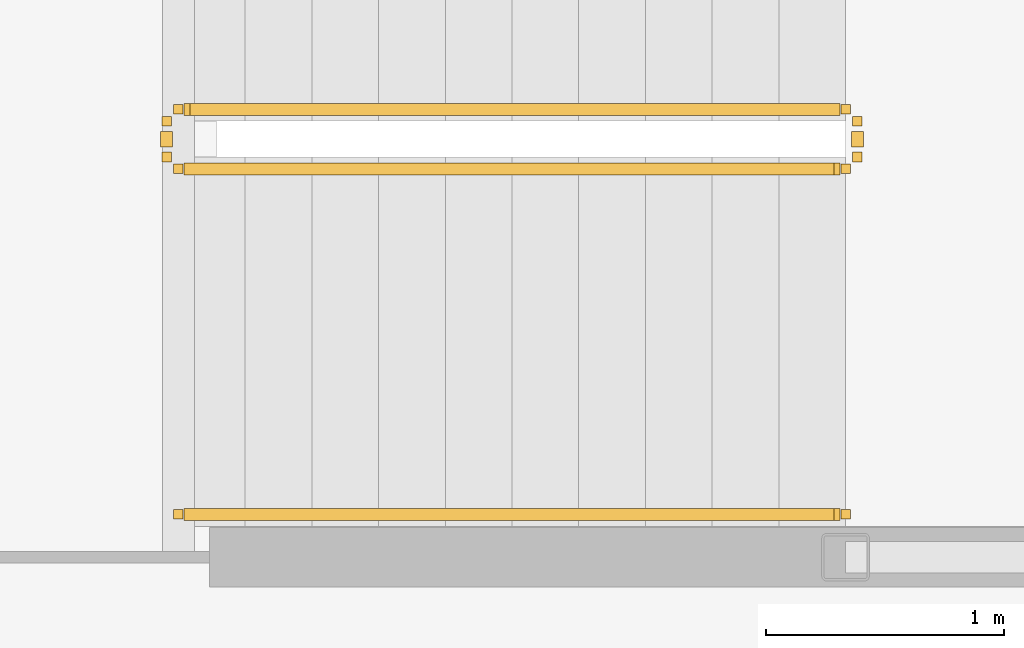
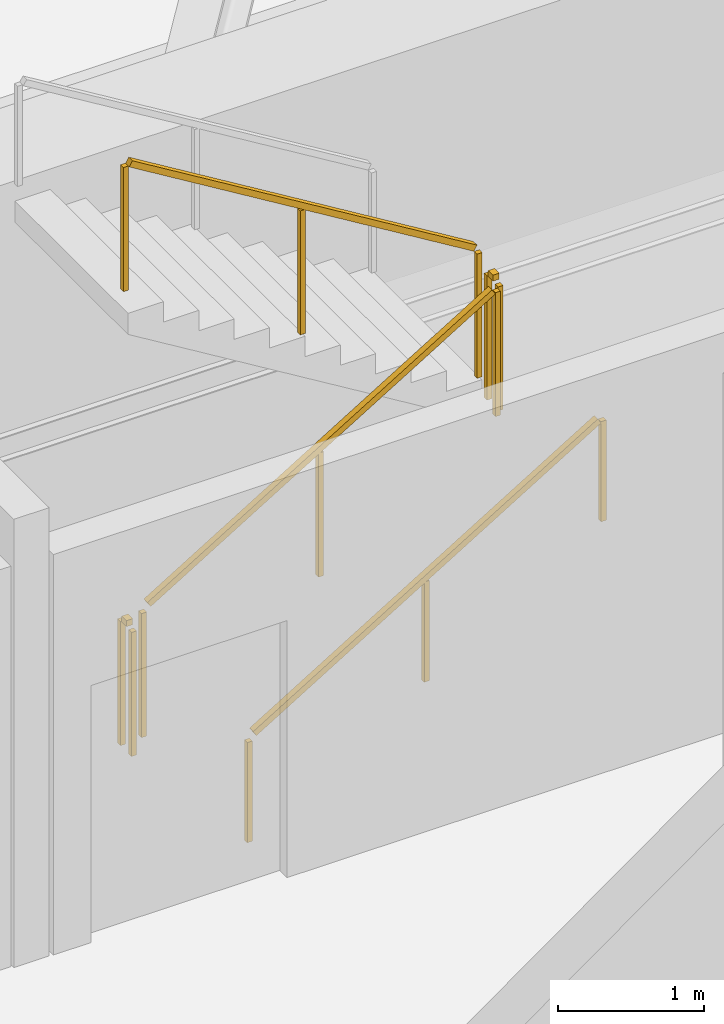
# One storey, part 18 of 19: 5 railings.
"""IFC4 building model written with IfcOpenShell, lengths in metres."""

import ifcopenshell
import ifcopenshell.guid

model = None  # the IFC model being written
_history = None  # IfcOwnerHistory: only IFC2X3 demands one
_inside = {}  # id of a spatial element -> (the spatial element, [elements in it])
_under = {}  # id of a project, library or spatial element -> (it, [spatial elements below it])
_declared = {}  # id of a project -> (the project, [libraries it declares])
_typed = {}  # id of a type object -> (the type object, [elements of that type])
_made_of = {}  # id of a material, layer set ... -> (it, [elements and type objects made of it])


def new_model(schema):
    """Start an empty IFC model of exactly this schema.

    Asked for "IFC4X3", IfcOpenShell would pick the latest addendum, in which some entities
    have other attributes; the version numbers below select the first issue.
    IFC2X3 requires an IfcOwnerHistory on every rooted entity: one is made here for all.
    """
    global model, _history
    if schema == "IFC4X3":
        model = ifcopenshell.file(schema_version=(4, 3, 0, 0))
    else:
        model = ifcopenshell.file(schema=schema)
    _inside.clear()
    _under.clear()
    _declared.clear()
    _typed.clear()
    _made_of.clear()
    _history = None
    if model.schema == "IFC2X3":
        org = make("IfcOrganization", Name="unknown")
        user = make(
            "IfcPersonAndOrganization",
            ThePerson=make("IfcPerson", FamilyName="unknown"),
            TheOrganization=org,
        )
        app = make(
            "IfcApplication",
            ApplicationDeveloper=org,
            Version="unknown",
            ApplicationFullName="unknown",
            ApplicationIdentifier="unknown",
        )
        _history = make(
            "IfcOwnerHistory",
            OwningUser=user,
            OwningApplication=app,
            ChangeAction="ADDED",
            CreationDate=0,
        )
    return model


def make(cls, **values):
    """One entity of the class cls with the attributes given. An attribute that is None is left unset."""
    return model.create_entity(
        cls, **{name: value for name, value in values.items() if value is not None}
    )


def rooted(cls, **values):
    """An entity with a GlobalId (a new one), such as an element, a storey or a relation."""
    return make(cls, GlobalId=ifcopenshell.guid.new(), OwnerHistory=_history, **values)


def si_unit(unit_type, name, prefix=None):
    """IfcSIUnit, for example si_unit("LENGTHUNIT", "METRE", prefix="MILLI")."""
    return make("IfcSIUnit", UnitType=unit_type, Prefix=prefix, Name=name)


def assignment(units):
    """IfcUnitAssignment: the units of a project."""
    return None if units is None else make("IfcUnitAssignment", Units=units)


def point(xyz):
    """IfcCartesianPoint."""
    return None if xyz is None else make("IfcCartesianPoint", Coordinates=xyz)


def direction(xyz):
    """IfcDirection."""
    return None if xyz is None else make("IfcDirection", DirectionRatios=xyz)


def frame(location, z_axis=None, x_axis=None):
    """IfcAxis2Placement3D, a coordinate frame: its origin and axes. An axis left out is left unset."""
    return make(
        "IfcAxis2Placement3D",
        Location=point(location),
        Axis=direction(z_axis),
        RefDirection=direction(x_axis),
    )


def frame_2d(location, x_axis=None):
    """IfcAxis2Placement2D, a coordinate frame in the plane: its origin and x axis."""
    return make(
        "IfcAxis2Placement2D", Location=point(location), RefDirection=direction(x_axis)
    )


def origin():
    """The frame at (0, 0, 0) with its axes left unset."""
    return frame((0.0, 0.0, 0.0))


def origin_2d():
    """The frame at (0, 0) in the plane with its x axis left unset."""
    return frame_2d((0.0, 0.0))


def place(relative_to, where):
    """IfcLocalPlacement: puts the frame where relative to a parent placement (None: the world)."""
    return make(
        "IfcLocalPlacement", PlacementRelTo=relative_to, RelativePlacement=where
    )


def context(
    kind, dimensions, precision=None, world=None, true_north=None, identifier=None
):
    """IfcGeometricRepresentationContext, for example the 3D "Model" context."""
    return make(
        "IfcGeometricRepresentationContext",
        ContextIdentifier=identifier,
        ContextType=kind,
        CoordinateSpaceDimension=dimensions,
        Precision=precision,
        WorldCoordinateSystem=world,
        TrueNorth=true_north,
    )


def subcontext(parent, identifier, kind, view, scale=None):
    """IfcGeometricRepresentationSubContext, for example "Body" below "Model"."""
    return make(
        "IfcGeometricRepresentationSubContext",
        ContextIdentifier=identifier,
        ContextType=kind,
        ParentContext=parent,
        TargetScale=scale,
        TargetView=view,
    )


def project(units=None, contexts=None):
    """IfcProject with its units and contexts."""
    return rooted(
        "IfcProject",
        Name="project",
        RepresentationContexts=contexts,
        UnitsInContext=assignment(units),
    )


def spatial(cls, under=None, at=None, **own):
    """A site, building, storey or space (cls), placed at a placement, below another one or the project."""
    s = rooted(cls, ObjectPlacement=at, **own)
    if under is not None:
        _under.setdefault(under.id(), (under, []))[1].append(s)
    return s


def profile(cls, at=None, kind="AREA", **sizes):
    """A parametric profile (cls). Its sizes go by their IFC names, for example OverallWidth=200.0."""
    return make(cls, ProfileType=kind, Position=at, **sizes)


def rectangle(**sizes):
    """IfcRectangleProfileDef."""
    return profile("IfcRectangleProfileDef", **sizes)


def extrude(swept, where, along, depth):
    """IfcExtrudedAreaSolid: the profile swept, set in the frame where, extruded along a direction by depth."""
    return make(
        "IfcExtrudedAreaSolid",
        SweptArea=swept,
        Position=where,
        ExtrudedDirection=direction(along),
        Depth=depth,
    )


def shape(context_of_items, identifier, shape_type, items):
    """IfcShapeRepresentation: the items that make up one representation, for example the "Body"."""
    return make(
        "IfcShapeRepresentation",
        ContextOfItems=context_of_items,
        RepresentationIdentifier=identifier,
        RepresentationType=shape_type,
        Items=items,
    )


def material(Name=None, Category=None):
    """IfcMaterial."""
    return make("IfcMaterial", Name=Name, Category=Category)


def made_of(thing, what):
    """Note that an element or type object is made of a material, layer set ...; save() writes the relation."""
    if what is not None:
        _made_of.setdefault(what.id(), (what, []))[1].append(thing)
    return thing


def type_object(cls, material=None, **own):
    """A type object (cls), such as IfcWallType, which elements share."""
    return made_of(rooted(cls, **own), material)


def element(
    cls,
    number,
    at=None,
    inside=None,
    cuts=None,
    type_object=None,
    material=None,
    context=None,
    identifier="Body",
    shape_type=None,
    held_by="IfcProductDefinitionShape",
    body=None,
    shapes=None,
    **own,
):
    """One element of the class cls, such as IfcWall. Its Tag is "e" and its number.

    at: its placement. inside: the storey or other place that contains it. cuts: it is an
    opening in that element (IfcRelVoidsElement). A single representation is given by context,
    identifier, shape_type and body (its items); several are given by shapes. held_by: the class
    of the entity that holds the representations. save() writes the other relations.
    """
    e = rooted(cls, Tag="e%d" % number, ObjectPlacement=at, **own)
    if body is not None:
        shapes = [shape(context, identifier, shape_type, body)]
    if shapes is not None:
        e.Representation = make(held_by, Representations=shapes)
    if inside is not None:
        _inside.setdefault(inside.id(), (inside, []))[1].append(e)
    if cuts is not None:
        rooted(
            "IfcRelVoidsElement", RelatingBuildingElement=cuts, RelatedOpeningElement=e
        )
    if type_object is not None:
        _typed.setdefault(type_object.id(), (type_object, []))[1].append(e)
    return made_of(e, material)


def aggregate(whole, parts):
    """IfcRelAggregates: a whole, such as a stair, and the parts it consists of."""
    return rooted("IfcRelAggregates", RelatingObject=whole, RelatedObjects=parts)


def save(model, path):
    """Write the relations noted so far, then the file.

    IfcRelAggregates (storeys below a building ...), IfcRelContainedInSpatialStructure (elements
    in a storey), IfcRelDefinesByType, IfcRelAssociatesMaterial and IfcRelDeclares: one each for
    every whole, place, type object, material and project.
    """
    for whole, parts in _under.values():
        aggregate(whole, parts)
    for where, things in _inside.values():
        rooted(
            "IfcRelContainedInSpatialStructure",
            RelatedElements=things,
            RelatingStructure=where,
        )
    for kind, things in _typed.values():
        rooted("IfcRelDefinesByType", RelatedObjects=things, RelatingType=kind)
    for what, things in _made_of.values():
        rooted("IfcRelAssociatesMaterial", RelatedObjects=things, RelatingMaterial=what)
    for by, libraries in _declared.values():
        rooted("IfcRelDeclares", RelatingContext=by, RelatedDefinitions=libraries)
    model.write(path)


model = new_model("IFC4")

# Units and contexts
model_context = context("Model", 3, precision=1e-05, world=origin(), true_north=direction((0.0, 1.0)))
body_context = subcontext(model_context, "Body", "Model", "MODEL_VIEW")
ifc_project = project(units=[si_unit("LENGTHUNIT", "METRE"), si_unit("AREAUNIT", "SQUARE_METRE"), si_unit("VOLUMEUNIT", "CUBIC_METRE"), si_unit("PLANEANGLEUNIT", "RADIAN"), si_unit("MASSUNIT", "GRAM", prefix="KILO")], contexts=[model_context])

# Site, building, storey
site_placement = place(None, origin())
site = spatial("IfcSite", under=ifc_project, at=site_placement, CompositionType="ELEMENT")
building_placement = place(site_placement, origin())
building = spatial("IfcBuilding", under=site, at=building_placement, Name="Kazma Halo Residences", CompositionType="ELEMENT")
storey_placement = place(building_placement, frame((0.0, 0.0, 172.800048828125)))
storey = spatial("IfcBuildingStorey", under=building, at=storey_placement, Name="L43", CompositionType="ELEMENT", Elevation=172.800048828125)

# Railings
ifc_material_1 = material(Name="Painted Steel S355", Category="steel")
railing_type_1 = type_object("IfcRailingType", Name="RLG-STAIR-GRD-1100", PredefinedType="GUARDRAIL", material=ifc_material_1)
railing_1_placement = place(storey_placement, frame((53.199951171875, 48.25, 0.17041015625)))
element("IfcRailing", 1, at=railing_1_placement, inside=storey, type_object=railing_type_1, Name="L43 ST-02 stair guard 1", PredefinedType="GUARDRAIL", context=body_context, shape_type="SweptSolid", body=[
    extrude(rectangle(XDim=0.050048828125, YDim=0.050048828125, at=origin_2d()), frame((0.036376953125, 0.0, 1.09716796875), z_axis=(0.854169791009, 0.0, 0.51999420009), x_axis=(0.0, 1.0, 0.0)), (0.0, 0.0, 1.0), 3.193115234375),
    extrude(rectangle(XDim=0.0400390625, YDim=0.0400390625, at=origin_2d()), origin(), (0.0, 0.0, 1.0), 1.0380859375),
    extrude(rectangle(XDim=0.0400390625, YDim=0.0400390625, at=origin_2d()), frame((1.39990234375, 0.0, 0.852294921875)), (0.0, 0.0, 1.0), 1.0380859375),
    extrude(rectangle(XDim=0.0400390625, YDim=0.0400390625, at=origin_2d()), frame((2.800048828125, 0.0, 1.70458984375)), (0.0, 0.0, 1.0), 1.0380859375),
])
railing_2_placement = place(storey_placement, frame((56.050048828125, 48.300048828125, 1.875)))
element("IfcRailing", 2, at=railing_2_placement, inside=storey, type_object=railing_type_1, Name="L43 ST-02 stair guard 2", PredefinedType="GUARDRAIL", context=body_context, shape_type="SweptSolid", body=[
    extrude(rectangle(XDim=0.050048828125, YDim=0.050048828125, at=origin_2d()), frame((0.0, 0.04248046875, 1.0751953125), z_axis=(0.0, 1.0, 0.0), x_axis=(-1.0, 0.0, 0.0)), (0.0, 0.0, 1.0), 0.06494140625),
    extrude(rectangle(XDim=0.0400390625, YDim=0.0400390625, at=origin_2d()), origin(), (0.0, 0.0, 1.0), 1.0380859375),
    extrude(rectangle(XDim=0.0400390625, YDim=0.0400390625, at=origin_2d()), frame((0.0, 0.14990234375, 0.0)), (0.0, 0.0, 1.0), 1.0380859375),
])
railing_3_placement = place(storey_placement, frame((56.0, 48.5, 2.04541015625)))
element("IfcRailing", 3, at=railing_3_placement, inside=storey, type_object=railing_type_1, Name="L43 ST-02 stair guard 3", PredefinedType="GUARDRAIL", context=body_context, shape_type="SweptSolid", body=[
    extrude(rectangle(XDim=0.050048828125, YDim=0.050048828125, at=origin_2d()), frame((-0.036376953125, 0.0, 1.09716796875), z_axis=(-0.854169791009, 0.0, 0.51999420009), x_axis=(0.0, -1.0, 0.0)), (0.0, 0.0, 1.0), 3.193115234375),
    extrude(rectangle(XDim=0.0400390625, YDim=0.0400390625, at=origin_2d()), origin(), (0.0, 0.0, 1.0), 1.0380859375),
    extrude(rectangle(XDim=0.0400390625, YDim=0.0400390625, at=origin_2d()), frame((-1.39990234375, 0.0, 0.852294921875)), (0.0, 0.0, 1.0), 1.0380859375),
    extrude(rectangle(XDim=0.0400390625, YDim=0.0400390625, at=origin_2d()), frame((-2.800048828125, 0.0, 1.70458984375)), (0.0, 0.0, 1.0), 1.0380859375),
])
railing_4_placement = place(storey_placement, frame((53.14990234375, 48.300048828125, 0.0)))
element("IfcRailing", 4, at=railing_4_placement, inside=storey, type_object=railing_type_1, Name="L43 ST-02 stair guard 4", PredefinedType="GUARDRAIL", context=body_context, shape_type="SweptSolid", body=[
    extrude(rectangle(XDim=0.050048828125, YDim=0.050048828125, at=origin_2d()), frame((0.0, 0.04248046875, 1.0751953125), z_axis=(0.0, 1.0, 0.0), x_axis=(-1.0, 0.0, 0.0)), (0.0, 0.0, 1.0), 0.06494140625),
    extrude(rectangle(XDim=0.0400390625, YDim=0.0400390625, at=origin_2d()), origin(), (0.0, 0.0, 1.0), 1.0380859375),
    extrude(rectangle(XDim=0.0400390625, YDim=0.0400390625, at=origin_2d()), frame((0.0, 0.14990234375, 0.0)), (0.0, 0.0, 1.0), 1.0380859375),
])
ifc_material_2 = material(Name="Brushed Stainless Steel", Category="steel")
railing_type_2 = type_object("IfcRailingType", Name="RLG-STAIR-HND-900", PredefinedType="HANDRAIL", material=ifc_material_2)
railing_5_placement = place(storey_placement, frame((53.199951171875, 46.800048828125, 0.17041015625)))
element("IfcRailing", 5, at=railing_5_placement, inside=storey, type_object=railing_type_2, Name="L43 ST-02 stair handrail 1", PredefinedType="HANDRAIL", context=body_context, shape_type="SweptSolid", body=[
    extrude(rectangle(XDim=0.050048828125, YDim=0.050048828125, at=origin_2d()), frame((0.036376953125, 0.0, 0.89697265625), z_axis=(0.854169791009, 0.0, 0.51999420009), x_axis=(0.0, 1.0, 0.0)), (0.0, 0.0, 1.0), 3.193115234375),
    extrude(rectangle(XDim=0.0400390625, YDim=0.0400390625, at=origin_2d()), origin(), (0.0, 0.0, 1.0), 0.837890625),
    extrude(rectangle(XDim=0.0400390625, YDim=0.0400390625, at=origin_2d()), frame((1.39990234375, 0.0, 0.852294921875)), (0.0, 0.0, 1.0), 0.837890625),
    extrude(rectangle(XDim=0.0400390625, YDim=0.0400390625, at=origin_2d()), frame((2.800048828125, 0.0, 1.70458984375)), (0.0, 0.0, 1.0), 0.837890625),
])

save(model, "model.ifc")
